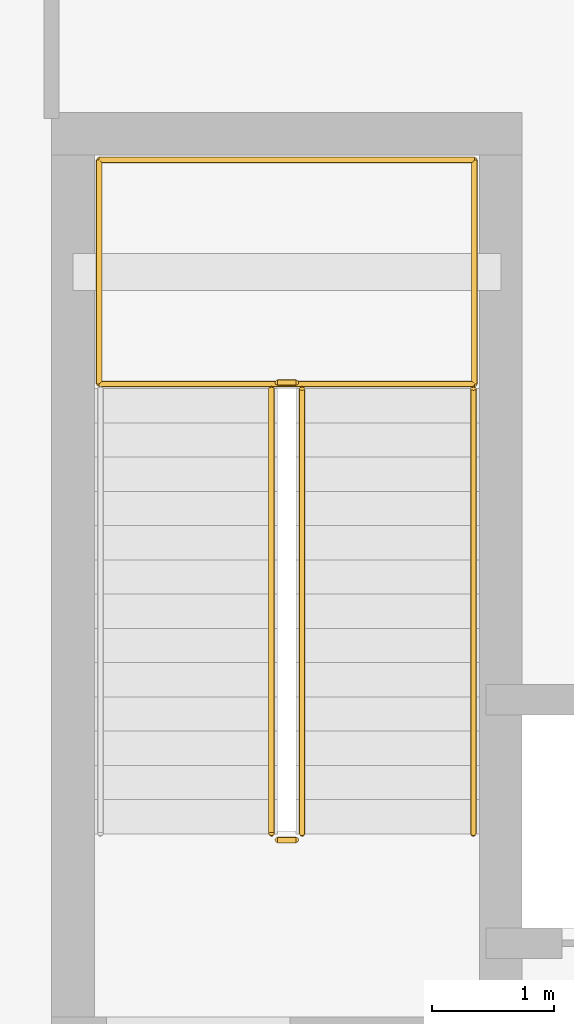
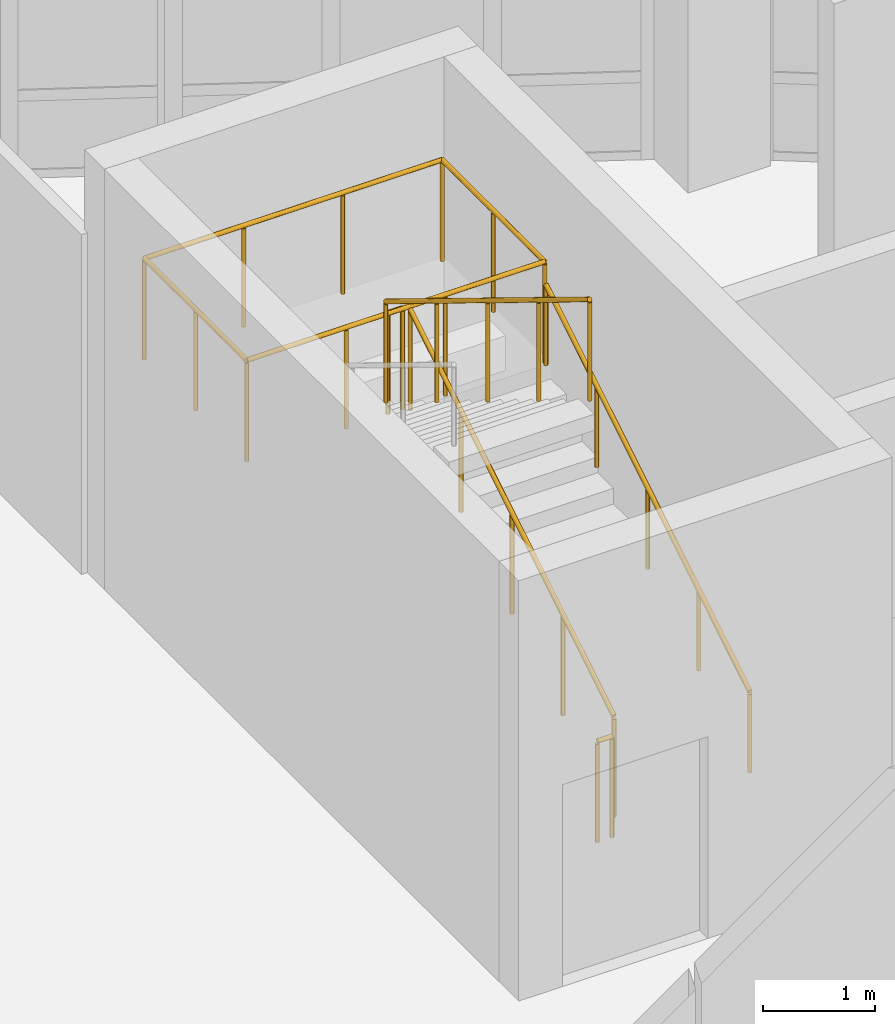
# One storey, part 64 of 68: 7 railings.
"""IFC4 building model written with IfcOpenShell, lengths in metres."""

from ifc_helpers import new_model, si_unit, direction, frame, origin, origin_2d, place, context, subcontext, project, spatial, circle, extrude, material, type_object, element, save


model = new_model("IFC4")

# Units and contexts
model_context = context("Model", 3, precision=1e-05, world=origin(), true_north=direction((0.0, 1.0)))
body_context = subcontext(model_context, "Body", "Model", "MODEL_VIEW")
ifc_project = project(units=[si_unit("LENGTHUNIT", "METRE"), si_unit("AREAUNIT", "SQUARE_METRE"), si_unit("VOLUMEUNIT", "CUBIC_METRE"), si_unit("PLANEANGLEUNIT", "RADIAN"), si_unit("MASSUNIT", "GRAM", prefix="KILO")], contexts=[model_context])

# Site, building, storey
site_placement = place(None, origin())
site = spatial("IfcSite", under=ifc_project, at=site_placement, CompositionType="ELEMENT")
building_placement = place(site_placement, origin())
building = spatial("IfcBuilding", under=site, at=building_placement, Name="Miralva Faculty of Natural Sciences", CompositionType="ELEMENT")
storey_placement = place(building_placement, frame((0.0, 0.0, 5.39990234375)))
storey = spatial("IfcBuildingStorey", under=building, at=storey_placement, Name="L01", CompositionType="ELEMENT", Elevation=5.39990234375)

# Railings
ifc_material = material(Name="Steel S355", Category="steel")
railing_type_1 = type_object("IfcRailingType", Name="RL-GR01", PredefinedType="GUARDRAIL", material=ifc_material)
railing_1_placement = place(storey_placement, frame((115.89990234375, 22.300048828125, 0.171630859375)))
element("IfcRailing", 1, at=railing_1_placement, inside=storey, type_object=railing_type_1, Name="Stair Core C3 safety guard L01-1", PredefinedType="GUARDRAIL", context=body_context, shape_type="SweptSolid", body=[
    extrude(circle(Radius=0.02392578125, at=origin_2d()), frame((0.0, 0.0, 1.09619140625), z_axis=(0.0, 0.852850264322, 0.5221555579), x_axis=(-1.0, 0.0, 0.0)), (0.0, 0.0, 1.0), 4.267822265625),
    extrude(circle(Radius=0.02099609375, at=origin_2d()), origin(), (0.0, 0.0, 1.0), 1.072021484375),
    extrude(circle(Radius=0.02099609375, at=origin_2d()), frame((0.0, 0.909912109375, 0.55712890625)), (0.0, 0.0, 1.0), 1.072021484375),
    extrude(circle(Radius=0.02099609375, at=origin_2d()), frame((0.0, 1.81982421875, 1.1142578125)), (0.0, 0.0, 1.0), 1.072021484375),
    extrude(circle(Radius=0.02099609375, at=origin_2d()), frame((0.0, 2.72998046875, 1.67138671875)), (0.0, 0.0, 1.0), 1.072021484375),
    extrude(circle(Radius=0.02099609375, at=origin_2d()), frame((0.0, 3.639892578125, 2.228515625)), (0.0, 0.0, 1.0), 1.072021484375),
])
railing_2_placement = place(storey_placement, frame((115.85009765625, 25.989990234375, 2.400146484375)))
element("IfcRailing", 2, at=railing_2_placement, inside=storey, type_object=railing_type_1, Name="Stair Core C3 safety guard L01-2", PredefinedType="GUARDRAIL", context=body_context, shape_type="SweptSolid", body=[
    extrude(circle(Radius=0.02392578125, at=origin_2d()), frame((0.0, 0.0, 1.09619140625), z_axis=(-1.0, 0.0, 0.0), x_axis=(0.0, -1.0, 0.0)), (0.0, 0.0, 1.0), 0.150146484375),
    extrude(circle(Radius=0.02099609375, at=origin_2d()), origin(), (0.0, 0.0, 1.0), 1.072021484375),
    extrude(circle(Radius=0.02099609375, at=origin_2d()), frame((-0.150146484375, 0.0, 0.0)), (0.0, 0.0, 1.0), 1.072021484375),
])
railing_3_placement = place(storey_placement, frame((115.64990234375, 25.93994140625, 2.571533203125)))
element("IfcRailing", 3, at=railing_3_placement, inside=storey, type_object=railing_type_1, Name="Stair Core C3 safety guard L01-3", PredefinedType="GUARDRAIL", context=body_context, shape_type="SweptSolid", body=[
    extrude(circle(Radius=0.02392578125, at=origin_2d()), frame((0.0, 0.0, 1.09619140625), z_axis=(0.0, -0.852850264322, 0.5221555579), x_axis=(1.0, 0.0, 0.0)), (0.0, 0.0, 1.0), 4.267822265625),
    extrude(circle(Radius=0.02099609375, at=origin_2d()), origin(), (0.0, 0.0, 1.0), 1.072021484375),
    extrude(circle(Radius=0.02099609375, at=origin_2d()), frame((0.0, -0.909912109375, 0.55712890625)), (0.0, 0.0, 1.0), 1.072021484375),
    extrude(circle(Radius=0.02099609375, at=origin_2d()), frame((0.0, -1.81982421875, 1.1142578125)), (0.0, 0.0, 1.0), 1.072021484375),
    extrude(circle(Radius=0.02099609375, at=origin_2d()), frame((0.0, -2.72998046875, 1.67138671875)), (0.0, 0.0, 1.0), 1.072021484375),
    extrude(circle(Radius=0.02099609375, at=origin_2d()), frame((0.0, -3.639892578125, 2.228515625)), (0.0, 0.0, 1.0), 1.072021484375),
])
railing_4_placement = place(storey_placement, frame((115.85009765625, 22.25, 0.0)))
element("IfcRailing", 4, at=railing_4_placement, inside=storey, type_object=railing_type_1, Name="Stair Core C3 safety guard L01-4", PredefinedType="GUARDRAIL", context=body_context, shape_type="SweptSolid", body=[
    extrude(circle(Radius=0.02392578125, at=origin_2d()), frame((0.0, 0.0, 1.09619140625), z_axis=(-1.0, 0.0, 0.0), x_axis=(0.0, -1.0, 0.0)), (0.0, 0.0, 1.0), 0.150146484375),
    extrude(circle(Radius=0.02099609375, at=origin_2d()), origin(), (0.0, 0.0, 1.0), 1.072021484375),
    extrude(circle(Radius=0.02099609375, at=origin_2d()), frame((-0.150146484375, 0.0, 0.0)), (0.0, 0.0, 1.0), 1.072021484375),
])
railing_5_placement = place(storey_placement, frame((114.239990234375, 25.97998046875, 2.400146484375)))
element("IfcRailing", 5, at=railing_5_placement, inside=storey, type_object=railing_type_1, Name="Stair Core C3 half-landing guard L01-1A", PredefinedType="GUARDRAIL", context=body_context, shape_type="SweptSolid", body=[
    extrude(circle(Radius=0.02392578125, at=origin_2d()), frame((0.0, 0.0, 1.09619140625), z_axis=(0.0, 1.0, 0.0), x_axis=(-1.0, 0.0, 0.0)), (0.0, 0.0, 1.0), 1.830078125),
    extrude(circle(Radius=0.02392578125, at=origin_2d()), frame((0.0, 1.830078125, 1.09619140625), z_axis=(1.0, 0.0, 0.0), x_axis=(0.0, 1.0, 0.0)), (0.0, 0.0, 1.0), 3.070068359375),
    extrude(circle(Radius=0.02099609375, at=origin_2d()), origin(), (0.0, 0.0, 1.0), 1.072021484375),
    extrude(circle(Radius=0.02099609375, at=origin_2d()), frame((0.0, 0.9150390625, 0.0)), (0.0, 0.0, 1.0), 1.072021484375),
    extrude(circle(Radius=0.02099609375, at=origin_2d()), frame((0.0, 1.830078125, 0.0)), (0.0, 0.0, 1.0), 1.072021484375),
    extrude(circle(Radius=0.02099609375, at=origin_2d()), frame((1.0234375, 1.830078125, 0.0)), (0.0, 0.0, 1.0), 1.072021484375),
    extrude(circle(Radius=0.02099609375, at=origin_2d()), frame((2.046630859375, 1.830078125, 0.0)), (0.0, 0.0, 1.0), 1.072021484375),
    extrude(circle(Radius=0.02099609375, at=origin_2d()), frame((3.070068359375, 1.830078125, 0.0)), (0.0, 0.0, 1.0), 1.072021484375),
])
railing_6_placement = place(storey_placement, frame((117.31005859375, 27.81005859375, 2.400146484375)))
element("IfcRailing", 6, at=railing_6_placement, inside=storey, type_object=railing_type_1, Name="Stair Core C3 half-landing guard L01-1B", PredefinedType="GUARDRAIL", context=body_context, shape_type="SweptSolid", body=[
    extrude(circle(Radius=0.02392578125, at=origin_2d()), frame((0.0, 0.0, 1.09619140625), z_axis=(0.0, -1.0, 0.0), x_axis=(1.0, 0.0, 0.0)), (0.0, 0.0, 1.0), 1.830078125),
    extrude(circle(Radius=0.02392578125, at=origin_2d()), frame((0.0, -1.830078125, 1.09619140625), z_axis=(-1.0, 0.0, 0.0), x_axis=(0.0, -1.0, 0.0)), (0.0, 0.0, 1.0), 3.070068359375),
    extrude(circle(Radius=0.02099609375, at=origin_2d()), origin(), (0.0, 0.0, 1.0), 1.072021484375),
    extrude(circle(Radius=0.02099609375, at=origin_2d()), frame((0.0, -0.9150390625, 0.0)), (0.0, 0.0, 1.0), 1.072021484375),
    extrude(circle(Radius=0.02099609375, at=origin_2d()), frame((0.0, -1.830078125, 0.0)), (0.0, 0.0, 1.0), 1.072021484375),
    extrude(circle(Radius=0.02099609375, at=origin_2d()), frame((-1.0234375, -1.830078125, 0.0)), (0.0, 0.0, 1.0), 1.072021484375),
    extrude(circle(Radius=0.02099609375, at=origin_2d()), frame((-2.046630859375, -1.830078125, 0.0)), (0.0, 0.0, 1.0), 1.072021484375),
    extrude(circle(Radius=0.02099609375, at=origin_2d()), frame((-3.070068359375, -1.830078125, 0.0)), (0.0, 0.0, 1.0), 1.072021484375),
])
railing_type_2 = type_object("IfcRailingType", Name="RL-HR01", PredefinedType="HANDRAIL", material=ifc_material)
railing_7_placement = place(storey_placement, frame((117.300048828125, 22.300048828125, 0.171630859375)))
element("IfcRailing", 7, at=railing_7_placement, inside=storey, type_object=railing_type_2, Name="Stair Core C3 handrail L01-1", PredefinedType="HANDRAIL", context=body_context, shape_type="SweptSolid", body=[
    extrude(circle(Radius=0.02392578125, at=origin_2d()), frame((0.0, 0.0, 0.8759765625), z_axis=(0.0, 0.852850264322, 0.5221555579), x_axis=(-1.0, 0.0, 0.0)), (0.0, 0.0, 1.0), 4.267822265625),
    extrude(circle(Radius=0.02099609375, at=origin_2d()), origin(), (0.0, 0.0, 1.0), 0.851806640625),
    extrude(circle(Radius=0.02099609375, at=origin_2d()), frame((0.0, 0.909912109375, 0.55712890625)), (0.0, 0.0, 1.0), 0.851806640625),
    extrude(circle(Radius=0.02099609375, at=origin_2d()), frame((0.0, 1.81982421875, 1.1142578125)), (0.0, 0.0, 1.0), 0.851806640625),
    extrude(circle(Radius=0.02099609375, at=origin_2d()), frame((0.0, 2.72998046875, 1.67138671875)), (0.0, 0.0, 1.0), 0.851806640625),
    extrude(circle(Radius=0.02099609375, at=origin_2d()), frame((0.0, 3.639892578125, 2.228515625)), (0.0, 0.0, 1.0), 0.851806640625),
])

save(model, "model.ifc")
